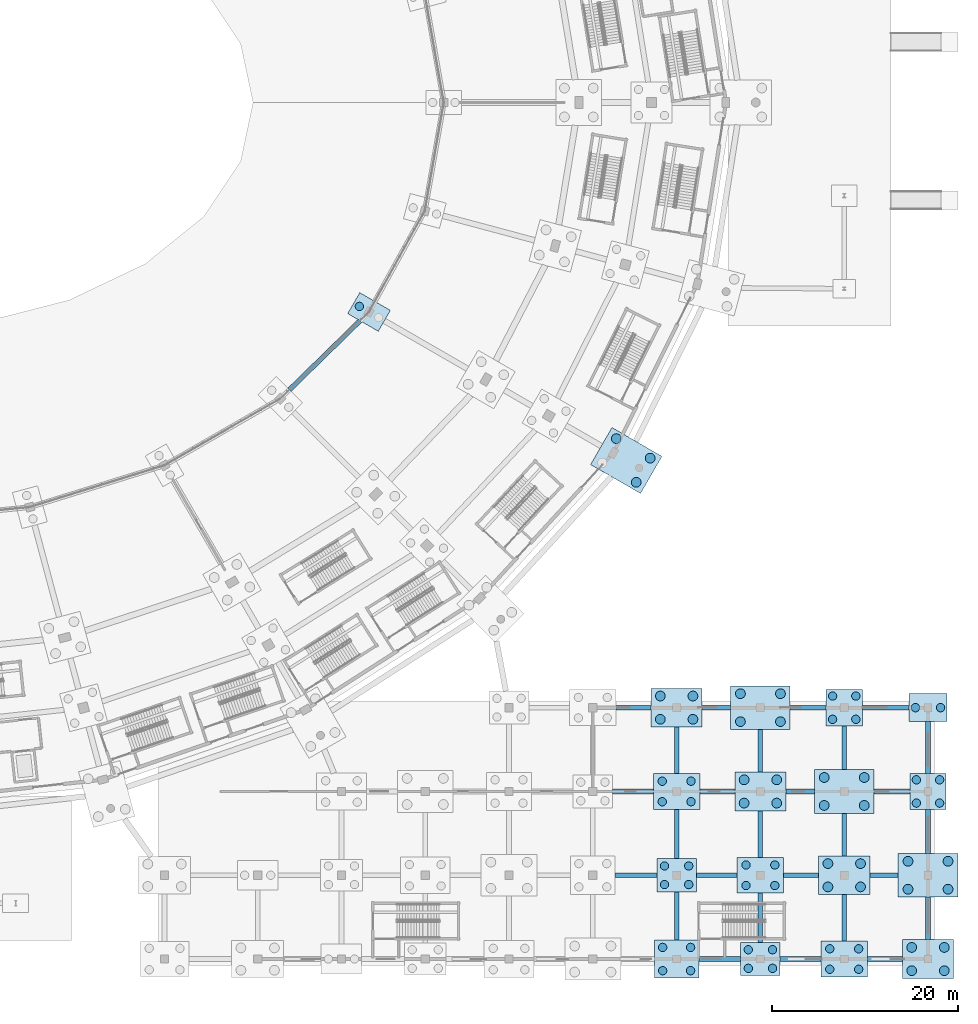
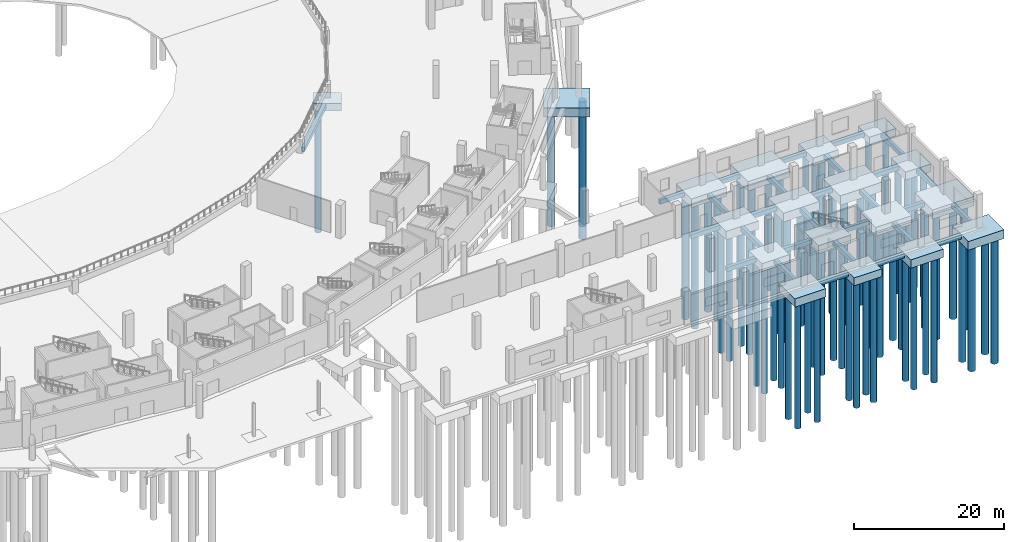
# One storey, part 7 of 103: 66 piles, 46 footings.
"""IFC4 building model written with IfcOpenShell, lengths in metres."""

from ifc_helpers import new_model, si_unit, direction, frame, origin, origin_2d, place, context, subcontext, project, spatial, rectangle, circle, extrude, material, material_profile, profile_set, type_object, element, save


model = new_model("IFC4")

# Units and contexts
model_context = context("Model", 3, precision=1e-05, world=origin(), true_north=direction((0.0, 1.0)))
body_context = subcontext(model_context, "Body", "Model", "MODEL_VIEW")
ifc_project = project(units=[si_unit("LENGTHUNIT", "METRE"), si_unit("AREAUNIT", "SQUARE_METRE"), si_unit("VOLUMEUNIT", "CUBIC_METRE"), si_unit("PLANEANGLEUNIT", "RADIAN"), si_unit("MASSUNIT", "GRAM", prefix="KILO")], contexts=[model_context])

# Site, building, storey
site_placement = place(None, origin())
site = spatial("IfcSite", under=ifc_project, at=site_placement, CompositionType="ELEMENT")
building_placement = place(site_placement, origin())
building = spatial("IfcBuilding", under=site, at=building_placement, Name="Zevraka Park Crest Stadium", CompositionType="ELEMENT")
storey_placement = place(building_placement, origin())
storey = spatial("IfcBuildingStorey", under=building, at=storey_placement, Name="L00", CompositionType="ELEMENT", Elevation=0.0)

# Footings
ifc_material_1 = material(Name="Concrete C35/45", Category="concrete")
ifc_material_profile_1 = material_profile(ifc_material_1, rectangle(XDim=0.5, YDim=0.699951171875, at=origin_2d()), Name="GB 700x500")
ifc_profile_set_1 = profile_set([ifc_material_profile_1], Name="Concrete C35/45")
footing_type_1 = type_object("IfcFootingType", Name="GB02", PredefinedType="FOOTING_BEAM", material=ifc_profile_set_1)
footing_1_placement = place(storey_placement, frame((155.427001953125, 61.158935546875, -0.699951171875), z_axis=(0.715191657617, 0.698928388946, 0.0), x_axis=(-0.698928388946, 0.715191657617, 0.0)))
element("IfcFooting", 1, at=footing_1_placement, inside=storey, type_object=footing_type_1, Name="Ground Tie Beam GB02 CIR-A-21", PredefinedType="FOOTING_BEAM", context=body_context, shape_type="SweptSolid", body=[
    extrude(rectangle(XDim=0.5, YDim=0.699951171875, at=origin_2d()), origin(), (0.0, 0.0, 1.0), 10.583251953125),
])
footing_2_placement = place(storey_placement, frame((190.39990234375, 9.0, -0.699951171875), z_axis=(1.0, 0.0, 0.0), x_axis=(0.0, 1.0, 0.0)))
element("IfcFooting", 2, at=footing_2_placement, inside=storey, type_object=footing_type_1, Name="Ground Tie Beam GB02 WX-21-B", PredefinedType="FOOTING_BEAM", context=body_context, shape_type="SweptSolid", body=[
    extrude(rectangle(XDim=0.5, YDim=0.699951171875, at=origin_2d()), origin(), (0.0, 0.0, 1.0), 4.47509765625),
])
footing_3_placement = place(storey_placement, frame((190.125, 18.0, -0.699951171875), z_axis=(1.0, 0.0, 0.0), x_axis=(0.0, 1.0, 0.0)))
element("IfcFooting", 3, at=footing_3_placement, inside=storey, type_object=footing_type_1, Name="Ground Tie Beam GB02 WX-21-C", PredefinedType="FOOTING_BEAM", context=body_context, shape_type="SweptSolid", body=[
    extrude(rectangle(XDim=0.5, YDim=0.699951171875, at=origin_2d()), origin(), (0.0, 0.0, 1.0), 4.375),
])
footing_4_placement = place(storey_placement, frame((190.5, 27.0, -0.699951171875), z_axis=(1.0, 0.0, 0.0), x_axis=(0.0, 1.0, 0.0)))
element("IfcFooting", 4, at=footing_4_placement, inside=storey, type_object=footing_type_1, Name="Ground Tie Beam GB02 WX-21-D", PredefinedType="FOOTING_BEAM", context=body_context, shape_type="SweptSolid", body=[
    extrude(rectangle(XDim=0.5, YDim=0.699951171875, at=origin_2d()), origin(), (0.0, 0.0, 1.0), 3.75),
])
footing_5_placement = place(storey_placement, frame((199.39990234375, 0.0, -0.699951171875), z_axis=(1.0, 0.0, 0.0), x_axis=(0.0, 1.0, 0.0)))
element("IfcFooting", 5, at=footing_5_placement, inside=storey, type_object=footing_type_1, Name="Ground Tie Beam GB02 WX-22-A", PredefinedType="FOOTING_BEAM", context=body_context, shape_type="SweptSolid", body=[
    extrude(rectangle(XDim=0.5, YDim=0.699951171875, at=origin_2d()), origin(), (0.0, 0.0, 1.0), 4.47509765625),
])
footing_6_placement = place(storey_placement, frame((197.0, 2.050048828125, -0.699951171875), z_axis=(0.0, 1.0, 0.0), x_axis=(-1.0, 0.0, 0.0)))
element("IfcFooting", 6, at=footing_6_placement, inside=storey, type_object=footing_type_1, Name="Ground Tie Beam GB02 WY-22-A", PredefinedType="FOOTING_BEAM", context=body_context, shape_type="SweptSolid", body=[
    extrude(rectangle(XDim=0.5, YDim=0.699951171875, at=origin_2d()), origin(), (0.0, 0.0, 1.0), 5.175048828125),
])
footing_7_placement = place(storey_placement, frame((199.125, 9.0, -0.699951171875), z_axis=(1.0, 0.0, 0.0), x_axis=(0.0, 1.0, 0.0)))
element("IfcFooting", 7, at=footing_7_placement, inside=storey, type_object=footing_type_1, Name="Ground Tie Beam GB02 WX-22-B", PredefinedType="FOOTING_BEAM", context=body_context, shape_type="SweptSolid", body=[
    extrude(rectangle(XDim=0.5, YDim=0.699951171875, at=origin_2d()), origin(), (0.0, 0.0, 1.0), 4.375),
])
footing_8_placement = place(storey_placement, frame((197.0, 10.77490234375, -0.699951171875), z_axis=(0.0, 1.0, 0.0), x_axis=(-1.0, 0.0, 0.0)))
element("IfcFooting", 8, at=footing_8_placement, inside=storey, type_object=footing_type_1, Name="Ground Tie Beam GB02 WY-22-B", PredefinedType="FOOTING_BEAM", context=body_context, shape_type="SweptSolid", body=[
    extrude(rectangle(XDim=0.5, YDim=0.699951171875, at=origin_2d()), origin(), (0.0, 0.0, 1.0), 5.300048828125),
])
footing_9_placement = place(storey_placement, frame((199.5, 18.0, -0.699951171875), z_axis=(1.0, 0.0, 0.0), x_axis=(0.0, 1.0, 0.0)))
element("IfcFooting", 9, at=footing_9_placement, inside=storey, type_object=footing_type_1, Name="Ground Tie Beam GB02 WX-22-C", PredefinedType="FOOTING_BEAM", context=body_context, shape_type="SweptSolid", body=[
    extrude(rectangle(XDim=0.5, YDim=0.699951171875, at=origin_2d()), origin(), (0.0, 0.0, 1.0), 3.75),
])
footing_10_placement = place(storey_placement, frame((197.0, 19.925048828125, -0.699951171875), z_axis=(0.0, 1.0, 0.0), x_axis=(-1.0, 0.0, 0.0)))
element("IfcFooting", 10, at=footing_10_placement, inside=storey, type_object=footing_type_1, Name="Ground Tie Beam GB02 WY-22-C", PredefinedType="FOOTING_BEAM", context=body_context, shape_type="SweptSolid", body=[
    extrude(rectangle(XDim=0.5, YDim=0.699951171875, at=origin_2d()), origin(), (0.0, 0.0, 1.0), 5.0),
])
footing_11_placement = place(storey_placement, frame((199.75, 27.0, -0.699951171875), z_axis=(1.0, 0.0, 0.0), x_axis=(0.0, 1.0, 0.0)))
element("IfcFooting", 11, at=footing_11_placement, inside=storey, type_object=footing_type_1, Name="Ground Tie Beam GB02 WX-22-D", PredefinedType="FOOTING_BEAM", context=body_context, shape_type="SweptSolid", body=[
    extrude(rectangle(XDim=0.5, YDim=0.699951171875, at=origin_2d()), origin(), (0.0, 0.0, 1.0), 3.050048828125),
])
footing_12_placement = place(storey_placement, frame((208.125, 0.0, -0.699951171875), z_axis=(1.0, 0.0, 0.0), x_axis=(0.0, 1.0, 0.0)))
element("IfcFooting", 12, at=footing_12_placement, inside=storey, type_object=footing_type_1, Name="Ground Tie Beam GB02 WX-23-A", PredefinedType="FOOTING_BEAM", context=body_context, shape_type="SweptSolid", body=[
    extrude(rectangle(XDim=0.5, YDim=0.699951171875, at=origin_2d()), origin(), (0.0, 0.0, 1.0), 4.375),
])
footing_13_placement = place(storey_placement, frame((206.0, 1.77490234375, -0.699951171875), z_axis=(0.0, 1.0, 0.0), x_axis=(-1.0, 0.0, 0.0)))
element("IfcFooting", 13, at=footing_13_placement, inside=storey, type_object=footing_type_1, Name="Ground Tie Beam GB02 WY-23-A", PredefinedType="FOOTING_BEAM", context=body_context, shape_type="SweptSolid", body=[
    extrude(rectangle(XDim=0.5, YDim=0.699951171875, at=origin_2d()), origin(), (0.0, 0.0, 1.0), 5.300048828125),
])
footing_14_placement = place(storey_placement, frame((208.5, 9.0, -0.699951171875), z_axis=(1.0, 0.0, 0.0), x_axis=(0.0, 1.0, 0.0)))
element("IfcFooting", 14, at=footing_14_placement, inside=storey, type_object=footing_type_1, Name="Ground Tie Beam GB02 WX-23-B", PredefinedType="FOOTING_BEAM", context=body_context, shape_type="SweptSolid", body=[
    extrude(rectangle(XDim=0.5, YDim=0.699951171875, at=origin_2d()), origin(), (0.0, 0.0, 1.0), 3.75),
])
footing_15_placement = place(storey_placement, frame((206.0, 10.925048828125, -0.699951171875), z_axis=(0.0, 1.0, 0.0), x_axis=(-1.0, 0.0, 0.0)))
element("IfcFooting", 15, at=footing_15_placement, inside=storey, type_object=footing_type_1, Name="Ground Tie Beam GB02 WY-23-B", PredefinedType="FOOTING_BEAM", context=body_context, shape_type="SweptSolid", body=[
    extrude(rectangle(XDim=0.5, YDim=0.699951171875, at=origin_2d()), origin(), (0.0, 0.0, 1.0), 5.0),
])
footing_16_placement = place(storey_placement, frame((208.75, 18.0, -0.699951171875), z_axis=(1.0, 0.0, 0.0), x_axis=(0.0, 1.0, 0.0)))
element("IfcFooting", 16, at=footing_16_placement, inside=storey, type_object=footing_type_1, Name="Ground Tie Beam GB02 WX-23-C", PredefinedType="FOOTING_BEAM", context=body_context, shape_type="SweptSolid", body=[
    extrude(rectangle(XDim=0.5, YDim=0.699951171875, at=origin_2d()), origin(), (0.0, 0.0, 1.0), 3.050048828125),
])
footing_17_placement = place(storey_placement, frame((206.0, 20.074951171875, -0.699951171875), z_axis=(0.0, 1.0, 0.0), x_axis=(-1.0, 0.0, 0.0)))
element("IfcFooting", 17, at=footing_17_placement, inside=storey, type_object=footing_type_1, Name="Ground Tie Beam GB02 WY-23-C", PredefinedType="FOOTING_BEAM", context=body_context, shape_type="SweptSolid", body=[
    extrude(rectangle(XDim=0.5, YDim=0.699951171875, at=origin_2d()), origin(), (0.0, 0.0, 1.0), 4.574951171875),
])
footing_18_placement = place(storey_placement, frame((209.199951171875, 27.0, -0.699951171875), z_axis=(1.0, 0.0, 0.0), x_axis=(0.0, 1.0, 0.0)))
element("IfcFooting", 18, at=footing_18_placement, inside=storey, type_object=footing_type_1, Name="Ground Tie Beam GB02 WX-23-D", PredefinedType="FOOTING_BEAM", context=body_context, shape_type="SweptSolid", body=[
    extrude(rectangle(XDim=0.5, YDim=0.699951171875, at=origin_2d()), origin(), (0.0, 0.0, 1.0), 3.85009765625),
])
footing_19_placement = place(storey_placement, frame((217.5, 0.0, -0.699951171875), z_axis=(1.0, 0.0, 0.0), x_axis=(0.0, 1.0, 0.0)))
element("IfcFooting", 19, at=footing_19_placement, inside=storey, type_object=footing_type_1, Name="Ground Tie Beam GB02 WX-24-A", PredefinedType="FOOTING_BEAM", context=body_context, shape_type="SweptSolid", body=[
    extrude(rectangle(XDim=0.5, YDim=0.699951171875, at=origin_2d()), origin(), (0.0, 0.0, 1.0), 3.75),
])
footing_20_placement = place(storey_placement, frame((215.0, 1.925048828125, -0.699951171875), z_axis=(0.0, 1.0, 0.0), x_axis=(-1.0, 0.0, 0.0)))
element("IfcFooting", 20, at=footing_20_placement, inside=storey, type_object=footing_type_1, Name="Ground Tie Beam GB02 WY-24-A", PredefinedType="FOOTING_BEAM", context=body_context, shape_type="SweptSolid", body=[
    extrude(rectangle(XDim=0.5, YDim=0.699951171875, at=origin_2d()), origin(), (0.0, 0.0, 1.0), 5.0),
])
footing_21_placement = place(storey_placement, frame((217.75, 9.0, -0.699951171875), z_axis=(1.0, 0.0, 0.0), x_axis=(0.0, 1.0, 0.0)))
element("IfcFooting", 21, at=footing_21_placement, inside=storey, type_object=footing_type_1, Name="Ground Tie Beam GB02 WX-24-B", PredefinedType="FOOTING_BEAM", context=body_context, shape_type="SweptSolid", body=[
    extrude(rectangle(XDim=0.5, YDim=0.699951171875, at=origin_2d()), origin(), (0.0, 0.0, 1.0), 3.050048828125),
])
footing_22_placement = place(storey_placement, frame((215.0, 11.074951171875, -0.699951171875), z_axis=(0.0, 1.0, 0.0), x_axis=(-1.0, 0.0, 0.0)))
element("IfcFooting", 22, at=footing_22_placement, inside=storey, type_object=footing_type_1, Name="Ground Tie Beam GB02 WY-24-B", PredefinedType="FOOTING_BEAM", context=body_context, shape_type="SweptSolid", body=[
    extrude(rectangle(XDim=0.5, YDim=0.699951171875, at=origin_2d()), origin(), (0.0, 0.0, 1.0), 4.574951171875),
])
footing_23_placement = place(storey_placement, frame((218.199951171875, 18.0, -0.699951171875), z_axis=(1.0, 0.0, 0.0), x_axis=(0.0, 1.0, 0.0)))
element("IfcFooting", 23, at=footing_23_placement, inside=storey, type_object=footing_type_1, Name="Ground Tie Beam GB02 WX-24-C", PredefinedType="FOOTING_BEAM", context=body_context, shape_type="SweptSolid", body=[
    extrude(rectangle(XDim=0.5, YDim=0.699951171875, at=origin_2d()), origin(), (0.0, 0.0, 1.0), 3.85009765625),
])
footing_24_placement = place(storey_placement, frame((215.0, 20.35009765625, -0.699951171875), z_axis=(0.0, 1.0, 0.0), x_axis=(-1.0, 0.0, 0.0)))
element("IfcFooting", 24, at=footing_24_placement, inside=storey, type_object=footing_type_1, Name="Ground Tie Beam GB02 WY-24-C", PredefinedType="FOOTING_BEAM", context=body_context, shape_type="SweptSolid", body=[
    extrude(rectangle(XDim=0.5, YDim=0.699951171875, at=origin_2d()), origin(), (0.0, 0.0, 1.0), 4.699951171875),
])
footing_25_placement = place(storey_placement, frame((216.949951171875, 27.0, -0.699951171875), z_axis=(1.0, 0.0, 0.0), x_axis=(0.0, 1.0, 0.0)))
element("IfcFooting", 25, at=footing_25_placement, inside=storey, type_object=footing_type_1, Name="Ground Tie Beam GB02 WX-24-D", PredefinedType="FOOTING_BEAM", context=body_context, shape_type="SweptSolid", body=[
    extrude(rectangle(XDim=0.5, YDim=0.699951171875, at=origin_2d()), origin(), (0.0, 0.0, 1.0), 5.0),
])
footing_26_placement = place(storey_placement, frame((224.0, 2.074951171875, -0.699951171875), z_axis=(0.0, 1.0, 0.0), x_axis=(-1.0, 0.0, 0.0)))
element("IfcFooting", 26, at=footing_26_placement, inside=storey, type_object=footing_type_1, Name="Ground Tie Beam GB02 WY-25-A", PredefinedType="FOOTING_BEAM", context=body_context, shape_type="SweptSolid", body=[
    extrude(rectangle(XDim=0.5, YDim=0.699951171875, at=origin_2d()), origin(), (0.0, 0.0, 1.0), 4.574951171875),
])
footing_27_placement = place(storey_placement, frame((224.0, 11.35009765625, -0.699951171875), z_axis=(0.0, 1.0, 0.0), x_axis=(-1.0, 0.0, 0.0)))
element("IfcFooting", 27, at=footing_27_placement, inside=storey, type_object=footing_type_1, Name="Ground Tie Beam GB02 WY-25-B", PredefinedType="FOOTING_BEAM", context=body_context, shape_type="SweptSolid", body=[
    extrude(rectangle(XDim=0.5, YDim=0.699951171875, at=origin_2d()), origin(), (0.0, 0.0, 1.0), 4.699951171875),
])
footing_28_placement = place(storey_placement, frame((224.0, 19.949951171875, -0.699951171875), z_axis=(0.0, 1.0, 0.0), x_axis=(-1.0, 0.0, 0.0)))
element("IfcFooting", 28, at=footing_28_placement, inside=storey, type_object=footing_type_1, Name="Ground Tie Beam GB02 WY-25-C", PredefinedType="FOOTING_BEAM", context=body_context, shape_type="SweptSolid", body=[
    extrude(rectangle(XDim=0.5, YDim=0.699951171875, at=origin_2d()), origin(), (0.0, 0.0, 1.0), 5.550048828125),
])
ifc_material_2 = material(Name="Concrete C35/45", Category="concrete")
footing_type_2 = type_object("IfcFootingType", Name="PC01", PredefinedType="PILE_CAP", material=ifc_material_2)
footing_29_placement = place(storey_placement, frame((163.9619140625, 69.5, -1.5498046875), z_axis=(0.0, 0.0, 1.0), x_axis=(-0.866025403784, 0.5, 0.0)))
element("IfcFooting", 29, at=footing_29_placement, inside=storey, type_object=footing_type_2, Name="Foundation PC01 A-22", PredefinedType="PILE_CAP", context=body_context, shape_type="SweptSolid", body=[
    extrude(rectangle(XDim=3.800048828125, YDim=2.60009765625, at=origin_2d()), origin(), (0.0, 0.0, 1.0), 1.199951171875),
])
ifc_material_3 = material(Name="Concrete C35/45", Category="concrete")
footing_type_3 = type_object("IfcFootingType", Name="PC07", PredefinedType="PILE_CAP", material=ifc_material_3)
footing_30_placement = place(storey_placement, frame((191.587890625, 53.550048828125, -1.7998046875), z_axis=(0.0, 0.0, 1.0), x_axis=(-0.866025403784, 0.5, 0.0)))
element("IfcFooting", 30, at=footing_30_placement, inside=storey, type_object=footing_type_3, Name="Foundation PC07 DE-22", PredefinedType="PILE_CAP", context=body_context, shape_type="SweptSolid", body=[
    extrude(rectangle(XDim=6.199951171875, YDim=4.60009765625, at=origin_2d()), origin(), (0.0, 0.0, 1.0), 1.449951171875),
])
ifc_material_4 = material(Name="Concrete C35/45", Category="concrete")
footing_type_4 = type_object("IfcFootingType", Name="PC09", PredefinedType="PILE_CAP", material=ifc_material_4)
for number, where, z_axis, x_axis, name in (
    (31, (215.0, 27.0, -1.60009765625), (0.0, 0.0, 1.0), (1.0, 0.0, 0.0), "Foundation PC09 W-24-D"),
    (32, (224.0, 18.0, -1.60009765625), (0.0, 0.0, 1.0), (1.0, 0.0, 0.0), "Foundation PC09 W-25-C"),
):
    element("IfcFooting", number, at=place(storey_placement, frame(where, z_axis=z_axis, x_axis=x_axis)), inside=storey, type_object=footing_type_4, Name=name, PredefinedType="PILE_CAP", context=body_context, shape_type="SweptSolid", body=[
        extrude(rectangle(XDim=3.89990234375, YDim=3.89990234375, at=origin_2d()), origin(), (0.0, 0.0, 1.0), 1.25),
    ])
ifc_material_5 = material(Name="Concrete C35/45", Category="concrete")
footing_type_5 = type_object("IfcFootingType", Name="PC10", PredefinedType="PILE_CAP", material=ifc_material_5)
footing_31_placement = place(storey_placement, frame((224.0, 27.0, -1.5498046875), z_axis=(0.0, 0.0, 1.0), x_axis=(1.0, 0.0, 0.0)))
element("IfcFooting", 33, at=footing_31_placement, inside=storey, type_object=footing_type_5, Name="Foundation PC10 W-25-D", PredefinedType="PILE_CAP", context=body_context, shape_type="SweptSolid", body=[
    extrude(rectangle(XDim=4.10009765625, YDim=3.0, at=origin_2d()), origin(), (0.0, 0.0, 1.0), 1.199951171875),
])
ifc_material_6 = material(Name="Concrete C35/45", Category="concrete")
footing_type_6 = type_object("IfcFootingType", Name="PC20", PredefinedType="PILE_CAP", material=ifc_material_6)
footing_32_placement = place(storey_placement, frame((197.0, 0.0, -1.699951171875), z_axis=(0.0, 0.0, 1.0), x_axis=(1.0, 0.0, 0.0)))
element("IfcFooting", 34, at=footing_32_placement, inside=storey, type_object=footing_type_6, Name="Foundation PC20 W-22-A", PredefinedType="PILE_CAP", context=body_context, shape_type="SweptSolid", body=[
    extrude(rectangle(XDim=4.800048828125, YDim=4.10009765625, at=origin_2d()), origin(), (0.0, 0.0, 1.0), 1.35009765625),
])
ifc_material_7 = material(Name="Concrete C35/45", Category="concrete")
footing_type_7 = type_object("IfcFootingType", Name="PC21", PredefinedType="PILE_CAP", material=ifc_material_7)
for number, where, z_axis, x_axis, name in (
    (35, (197.0, 9.0, -1.6298828125), (0.0, 0.0, 1.0), (1.0, 0.0, 0.0), "Foundation PC21 W-22-B"),
    (36, (206.0, 0.0, -1.6298828125), (0.0, 0.0, 1.0), (1.0, 0.0, 0.0), "Foundation PC21 W-23-A"),
):
    element("IfcFooting", number, at=place(storey_placement, frame(where, z_axis=z_axis, x_axis=x_axis)), inside=storey, type_object=footing_type_7, Name=name, PredefinedType="PILE_CAP", context=body_context, shape_type="SweptSolid", body=[
        extrude(rectangle(XDim=4.25, YDim=3.550048828125, at=origin_2d()), origin(), (0.0, 0.0, 1.0), 1.280029296875),
    ])
ifc_material_8 = material(Name="Concrete C35/45", Category="concrete")
footing_type_8 = type_object("IfcFootingType", Name="PC22", PredefinedType="PILE_CAP", material=ifc_material_8)
for number, where, z_axis, x_axis, name in (
    (37, (197.0, 18.0, -1.7099609375), (0.0, 0.0, 1.0), (1.0, 0.0, 0.0), "Foundation PC22 W-22-C"),
    (38, (206.0, 9.0, -1.7099609375), (0.0, 0.0, 1.0), (1.0, 0.0, 0.0), "Foundation PC22 W-23-B"),
    (39, (215.0, 0.0, -1.7099609375), (0.0, 0.0, 1.0), (1.0, 0.0, 0.0), "Foundation PC22 W-24-A"),
):
    element("IfcFooting", number, at=place(storey_placement, frame(where, z_axis=z_axis, x_axis=x_axis)), inside=storey, type_object=footing_type_8, Name=name, PredefinedType="PILE_CAP", context=body_context, shape_type="SweptSolid", body=[
        extrude(rectangle(XDim=5.0, YDim=3.85009765625, at=origin_2d()), origin(), (0.0, 0.0, 1.0), 1.360107421875),
    ])
ifc_material_9 = material(Name="Concrete C35/45", Category="concrete")
footing_type_9 = type_object("IfcFootingType", Name="PC23", PredefinedType="PILE_CAP", material=ifc_material_9)
for number, where, z_axis, x_axis, name in (
    (40, (197.0, 27.0, -1.77001953125), (0.0, 0.0, 1.0), (1.0, 0.0, 0.0), "Foundation PC23 W-22-D"),
    (41, (206.0, 18.0, -1.77001953125), (0.0, 0.0, 1.0), (1.0, 0.0, 0.0), "Foundation PC23 W-23-C"),
    (42, (215.0, 9.0, -1.77001953125), (0.0, 0.0, 1.0), (1.0, 0.0, 0.0), "Foundation PC23 W-24-B"),
    (43, (224.0, 0.0, -1.77001953125), (0.0, 0.0, 1.0), (1.0, 0.0, 0.0), "Foundation PC23 W-25-A"),
):
    element("IfcFooting", number, at=place(storey_placement, frame(where, z_axis=z_axis, x_axis=x_axis)), inside=storey, type_object=footing_type_9, Name=name, PredefinedType="PILE_CAP", context=body_context, shape_type="SweptSolid", body=[
        extrude(rectangle(XDim=5.5, YDim=4.14990234375, at=origin_2d()), origin(), (0.0, 0.0, 1.0), 1.419921875),
    ])
ifc_material_10 = material(Name="Concrete C35/45", Category="concrete")
footing_type_10 = type_object("IfcFootingType", Name="PC24", PredefinedType="PILE_CAP", material=ifc_material_10)
for number, where, z_axis, x_axis, name in (
    (44, (206.0, 27.0, -1.8701171875), (0.0, 0.0, 1.0), (1.0, 0.0, 0.0), "Foundation PC24 W-23-D"),
    (45, (215.0, 18.0, -1.8701171875), (0.0, 0.0, 1.0), (1.0, 0.0, 0.0), "Foundation PC24 W-24-C"),
    (46, (224.0, 9.0, -1.8701171875), (0.0, 0.0, 1.0), (1.0, 0.0, 0.0), "Foundation PC24 W-25-B"),
):
    element("IfcFooting", number, at=place(storey_placement, frame(where, z_axis=z_axis, x_axis=x_axis)), inside=storey, type_object=footing_type_10, Name=name, PredefinedType="PILE_CAP", context=body_context, shape_type="SweptSolid", body=[
        extrude(rectangle(XDim=6.39990234375, YDim=4.699951171875, at=origin_2d()), origin(), (0.0, 0.0, 1.0), 1.52001953125),
    ])

# Piles
ifc_material_11 = material(Name="Concrete C35/45", Category="concrete")
ifc_material_profile_2 = material_profile(ifc_material_11, circle(Radius=0.449951171875, at=origin_2d()), Name="PILE D900")
ifc_profile_set_2 = profile_set([ifc_material_profile_2], Name="Concrete C35/45")
pile_type_1 = type_object("IfcPileType", Name="PL01", PredefinedType="BORED", material=ifc_profile_set_2)
pile_placement = place(storey_placement, frame((162.923095703125, 70.10009765625, -1.449951171875), z_axis=(0.0, 0.0, -1.0), x_axis=(1.0, 0.0, 0.0)))
element("IfcPile", 47, at=pile_placement, inside=storey, type_object=pile_type_1, Name="Bored Pile PL01 A-22-2", PredefinedType="BORED", context=body_context, shape_type="SweptSolid", body=[
    extrude(circle(Radius=0.449951171875, at=origin_2d()), origin(), (0.0, 0.0, 1.0), 20.550048828125),
])
for number, where, z_axis, x_axis, name in (
    (48, (195.5, -1.25, -1.60009765625), (0.0, 0.0, -1.0), (1.0, 0.0, 0.0), "Bored Pile PL01 W-22-A-1"),
    (49, (198.5, -1.25, -1.60009765625), (0.0, 0.0, -1.0), (1.0, 0.0, 0.0), "Bored Pile PL01 W-22-A-2"),
    (50, (195.5, 1.25, -1.60009765625), (0.0, 0.0, -1.0), (1.0, 0.0, 0.0), "Bored Pile PL01 W-22-A-3"),
    (51, (198.5, 1.25, -1.60009765625), (0.0, 0.0, -1.0), (1.0, 0.0, 0.0), "Bored Pile PL01 W-22-A-4"),
):
    element("IfcPile", number, at=place(storey_placement, frame(where, z_axis=z_axis, x_axis=x_axis)), inside=storey, type_object=pile_type_1, Name=name, PredefinedType="BORED", context=body_context, shape_type="SweptSolid", body=[
        extrude(circle(Radius=0.449951171875, at=origin_2d()), origin(), (0.0, 0.0, 1.0), 20.39990234375),
    ])
for number, where, z_axis, x_axis, name in (
    (52, (195.699951171875, 8.0, -1.530029296875), (0.0, 0.0, -1.0), (1.0, 0.0, 0.0), "Bored Pile PL01 W-22-B-1"),
    (53, (198.300048828125, 8.0, -1.530029296875), (0.0, 0.0, -1.0), (1.0, 0.0, 0.0), "Bored Pile PL01 W-22-B-2"),
    (54, (195.699951171875, 10.0, -1.530029296875), (0.0, 0.0, -1.0), (1.0, 0.0, 0.0), "Bored Pile PL01 W-22-B-3"),
    (55, (198.300048828125, 10.0, -1.530029296875), (0.0, 0.0, -1.0), (1.0, 0.0, 0.0), "Bored Pile PL01 W-22-B-4"),
):
    element("IfcPile", number, at=place(storey_placement, frame(where, z_axis=z_axis, x_axis=x_axis)), inside=storey, type_object=pile_type_1, Name=name, PredefinedType="BORED", context=body_context, shape_type="SweptSolid", body=[
        extrude(circle(Radius=0.449951171875, at=origin_2d()), origin(), (0.0, 0.0, 1.0), 20.469970703125),
    ])
for number, where, z_axis, x_axis, name in (
    (56, (195.449951171875, 16.89990234375, -1.610107421875), (0.0, 0.0, -1.0), (1.0, 0.0, 0.0), "Bored Pile PL01 W-22-C-1"),
    (57, (198.550048828125, 16.89990234375, -1.610107421875), (0.0, 0.0, -1.0), (1.0, 0.0, 0.0), "Bored Pile PL01 W-22-C-2"),
    (58, (195.449951171875, 19.10009765625, -1.610107421875), (0.0, 0.0, -1.0), (1.0, 0.0, 0.0), "Bored Pile PL01 W-22-C-3"),
    (59, (198.550048828125, 19.10009765625, -1.610107421875), (0.0, 0.0, -1.0), (1.0, 0.0, 0.0), "Bored Pile PL01 W-22-C-4"),
):
    element("IfcPile", number, at=place(storey_placement, frame(where, z_axis=z_axis, x_axis=x_axis)), inside=storey, type_object=pile_type_1, Name=name, PredefinedType="BORED", context=body_context, shape_type="SweptSolid", body=[
        extrude(circle(Radius=0.449951171875, at=origin_2d()), origin(), (0.0, 0.0, 1.0), 20.389892578125),
    ])
for number, where, z_axis, x_axis, name in (
    (60, (204.699951171875, -1.0, -1.530029296875), (0.0, 0.0, -1.0), (1.0, 0.0, 0.0), "Bored Pile PL01 W-23-A-1"),
    (61, (207.300048828125, -1.0, -1.530029296875), (0.0, 0.0, -1.0), (1.0, 0.0, 0.0), "Bored Pile PL01 W-23-A-2"),
    (62, (204.699951171875, 1.0, -1.530029296875), (0.0, 0.0, -1.0), (1.0, 0.0, 0.0), "Bored Pile PL01 W-23-A-3"),
    (63, (207.300048828125, 1.0, -1.530029296875), (0.0, 0.0, -1.0), (1.0, 0.0, 0.0), "Bored Pile PL01 W-23-A-4"),
):
    element("IfcPile", number, at=place(storey_placement, frame(where, z_axis=z_axis, x_axis=x_axis)), inside=storey, type_object=pile_type_1, Name=name, PredefinedType="BORED", context=body_context, shape_type="SweptSolid", body=[
        extrude(circle(Radius=0.449951171875, at=origin_2d()), origin(), (0.0, 0.0, 1.0), 20.469970703125),
    ])
for number, where, z_axis, x_axis, name in (
    (64, (204.449951171875, 7.89990234375, -1.610107421875), (0.0, 0.0, -1.0), (1.0, 0.0, 0.0), "Bored Pile PL01 W-23-B-1"),
    (65, (207.550048828125, 7.89990234375, -1.610107421875), (0.0, 0.0, -1.0), (1.0, 0.0, 0.0), "Bored Pile PL01 W-23-B-2"),
    (66, (204.449951171875, 10.10009765625, -1.610107421875), (0.0, 0.0, -1.0), (1.0, 0.0, 0.0), "Bored Pile PL01 W-23-B-3"),
    (67, (207.550048828125, 10.10009765625, -1.610107421875), (0.0, 0.0, -1.0), (1.0, 0.0, 0.0), "Bored Pile PL01 W-23-B-4"),
    (68, (213.449951171875, -1.10009765625, -1.610107421875), (0.0, 0.0, -1.0), (1.0, 0.0, 0.0), "Bored Pile PL01 W-24-A-1"),
    (69, (216.550048828125, -1.10009765625, -1.610107421875), (0.0, 0.0, -1.0), (1.0, 0.0, 0.0), "Bored Pile PL01 W-24-A-2"),
    (70, (213.449951171875, 1.10009765625, -1.610107421875), (0.0, 0.0, -1.0), (1.0, 0.0, 0.0), "Bored Pile PL01 W-24-A-3"),
    (71, (216.550048828125, 1.10009765625, -1.610107421875), (0.0, 0.0, -1.0), (1.0, 0.0, 0.0), "Bored Pile PL01 W-24-A-4"),
):
    element("IfcPile", number, at=place(storey_placement, frame(where, z_axis=z_axis, x_axis=x_axis)), inside=storey, type_object=pile_type_1, Name=name, PredefinedType="BORED", context=body_context, shape_type="SweptSolid", body=[
        extrude(circle(Radius=0.449951171875, at=origin_2d()), origin(), (0.0, 0.0, 1.0), 20.389892578125),
    ])
for number, where, z_axis, x_axis, name in (
    (72, (213.75, 25.75, -1.5), (0.0, 0.0, -1.0), (1.0, 0.0, 0.0), "Bored Pile PL01 W-24-D-1"),
    (73, (216.25, 25.75, -1.5), (0.0, 0.0, -1.0), (1.0, 0.0, 0.0), "Bored Pile PL01 W-24-D-2"),
    (74, (213.75, 28.25, -1.5), (0.0, 0.0, -1.0), (1.0, 0.0, 0.0), "Bored Pile PL01 W-24-D-3"),
    (75, (216.25, 28.25, -1.5), (0.0, 0.0, -1.0), (1.0, 0.0, 0.0), "Bored Pile PL01 W-24-D-4"),
    (76, (222.75, 16.75, -1.5), (0.0, 0.0, -1.0), (1.0, 0.0, 0.0), "Bored Pile PL01 W-25-C-1"),
    (77, (225.25, 16.75, -1.5), (0.0, 0.0, -1.0), (1.0, 0.0, 0.0), "Bored Pile PL01 W-25-C-2"),
    (78, (222.75, 19.25, -1.5), (0.0, 0.0, -1.0), (1.0, 0.0, 0.0), "Bored Pile PL01 W-25-C-3"),
    (79, (225.25, 19.25, -1.5), (0.0, 0.0, -1.0), (1.0, 0.0, 0.0), "Bored Pile PL01 W-25-C-4"),
):
    element("IfcPile", number, at=place(storey_placement, frame(where, z_axis=z_axis, x_axis=x_axis)), inside=storey, type_object=pile_type_1, Name=name, PredefinedType="BORED", context=body_context, shape_type="SweptSolid", body=[
        extrude(circle(Radius=0.449951171875, at=origin_2d()), origin(), (0.0, 0.0, 1.0), 20.5),
    ])
for number, where, z_axis, x_axis, name in (
    (80, (222.64990234375, 27.0, -1.449951171875), (0.0, 0.0, -1.0), (1.0, 0.0, 0.0), "Bored Pile PL01 W-25-D-1"),
    (81, (225.35009765625, 27.0, -1.449951171875), (0.0, 0.0, -1.0), (1.0, 0.0, 0.0), "Bored Pile PL01 W-25-D-2"),
):
    element("IfcPile", number, at=place(storey_placement, frame(where, z_axis=z_axis, x_axis=x_axis)), inside=storey, type_object=pile_type_1, Name=name, PredefinedType="BORED", context=body_context, shape_type="SweptSolid", body=[
        extrude(circle(Radius=0.449951171875, at=origin_2d()), origin(), (0.0, 0.0, 1.0), 20.550048828125),
    ])
ifc_material_12 = material(Name="Concrete C35/45", Category="concrete")
ifc_material_profile_3 = material_profile(ifc_material_12, circle(Radius=0.52490234375, at=origin_2d()), Name="PILE D1050")
ifc_profile_set_3 = profile_set([ifc_material_profile_3], Name="Concrete C35/45")
pile_type_2 = type_object("IfcPileType", Name="PL02", PredefinedType="BORED", material=ifc_profile_set_3)
for number, where, z_axis, x_axis, name in (
    (82, (194.156982421875, 53.799072265625, -1.699951171875), (0.0, 0.0, -1.0), (1.0, 0.0, 0.0), "Bored Pile PL02 DE-22-1"),
    (83, (190.51904296875, 55.89892578125, -1.699951171875), (0.0, 0.0, -1.0), (1.0, 0.0, 0.0), "Bored Pile PL02 DE-22-2"),
    (84, (192.656982421875, 51.200927734375, -1.699951171875), (0.0, 0.0, -1.0), (1.0, 0.0, 0.0), "Bored Pile PL02 DE-22-3"),
):
    element("IfcPile", number, at=place(storey_placement, frame(where, z_axis=z_axis, x_axis=x_axis)), inside=storey, type_object=pile_type_2, Name=name, PredefinedType="BORED", context=body_context, shape_type="SweptSolid", body=[
        extrude(circle(Radius=0.52490234375, at=origin_2d()), origin(), (0.0, 0.0, 1.0), 20.300048828125),
    ])
for number, where, z_axis, x_axis, name in (
    (85, (195.25, 25.75, -1.669921875), (0.0, 0.0, -1.0), (1.0, 0.0, 0.0), "Bored Pile PL02 W-22-D-1"),
    (86, (198.75, 25.75, -1.669921875), (0.0, 0.0, -1.0), (1.0, 0.0, 0.0), "Bored Pile PL02 W-22-D-2"),
    (87, (195.25, 28.25, -1.669921875), (0.0, 0.0, -1.0), (1.0, 0.0, 0.0), "Bored Pile PL02 W-22-D-3"),
    (88, (198.75, 28.25, -1.669921875), (0.0, 0.0, -1.0), (1.0, 0.0, 0.0), "Bored Pile PL02 W-22-D-4"),
    (89, (204.25, 16.75, -1.669921875), (0.0, 0.0, -1.0), (1.0, 0.0, 0.0), "Bored Pile PL02 W-23-C-1"),
    (90, (207.75, 16.75, -1.669921875), (0.0, 0.0, -1.0), (1.0, 0.0, 0.0), "Bored Pile PL02 W-23-C-2"),
    (91, (204.25, 19.25, -1.669921875), (0.0, 0.0, -1.0), (1.0, 0.0, 0.0), "Bored Pile PL02 W-23-C-3"),
    (92, (207.75, 19.25, -1.669921875), (0.0, 0.0, -1.0), (1.0, 0.0, 0.0), "Bored Pile PL02 W-23-C-4"),
):
    element("IfcPile", number, at=place(storey_placement, frame(where, z_axis=z_axis, x_axis=x_axis)), inside=storey, type_object=pile_type_2, Name=name, PredefinedType="BORED", context=body_context, shape_type="SweptSolid", body=[
        extrude(circle(Radius=0.52490234375, at=origin_2d()), origin(), (0.0, 0.0, 1.0), 20.330078125),
    ])
for number, where, z_axis, x_axis, name in (
    (93, (203.85009765625, 25.5, -1.77001953125), (0.0, 0.0, -1.0), (1.0, 0.0, 0.0), "Bored Pile PL02 W-23-D-1"),
    (94, (208.14990234375, 25.5, -1.77001953125), (0.0, 0.0, -1.0), (1.0, 0.0, 0.0), "Bored Pile PL02 W-23-D-2"),
    (95, (203.85009765625, 28.5, -1.77001953125), (0.0, 0.0, -1.0), (1.0, 0.0, 0.0), "Bored Pile PL02 W-23-D-3"),
    (96, (208.14990234375, 28.5, -1.77001953125), (0.0, 0.0, -1.0), (1.0, 0.0, 0.0), "Bored Pile PL02 W-23-D-4"),
):
    element("IfcPile", number, at=place(storey_placement, frame(where, z_axis=z_axis, x_axis=x_axis)), inside=storey, type_object=pile_type_2, Name=name, PredefinedType="BORED", context=body_context, shape_type="SweptSolid", body=[
        extrude(circle(Radius=0.52490234375, at=origin_2d()), origin(), (0.0, 0.0, 1.0), 20.22998046875),
    ])
for number, where, z_axis, x_axis, name in (
    (97, (213.25, 7.75, -1.669921875), (0.0, 0.0, -1.0), (1.0, 0.0, 0.0), "Bored Pile PL02 W-24-B-1"),
    (98, (216.75, 7.75, -1.669921875), (0.0, 0.0, -1.0), (1.0, 0.0, 0.0), "Bored Pile PL02 W-24-B-2"),
    (99, (213.25, 10.25, -1.669921875), (0.0, 0.0, -1.0), (1.0, 0.0, 0.0), "Bored Pile PL02 W-24-B-3"),
    (100, (216.75, 10.25, -1.669921875), (0.0, 0.0, -1.0), (1.0, 0.0, 0.0), "Bored Pile PL02 W-24-B-4"),
):
    element("IfcPile", number, at=place(storey_placement, frame(where, z_axis=z_axis, x_axis=x_axis)), inside=storey, type_object=pile_type_2, Name=name, PredefinedType="BORED", context=body_context, shape_type="SweptSolid", body=[
        extrude(circle(Radius=0.52490234375, at=origin_2d()), origin(), (0.0, 0.0, 1.0), 20.330078125),
    ])
for number, where, z_axis, x_axis, name in (
    (101, (212.85009765625, 16.5, -1.77001953125), (0.0, 0.0, -1.0), (1.0, 0.0, 0.0), "Bored Pile PL02 W-24-C-1"),
    (102, (217.14990234375, 16.5, -1.77001953125), (0.0, 0.0, -1.0), (1.0, 0.0, 0.0), "Bored Pile PL02 W-24-C-2"),
    (103, (212.85009765625, 19.5, -1.77001953125), (0.0, 0.0, -1.0), (1.0, 0.0, 0.0), "Bored Pile PL02 W-24-C-3"),
    (104, (217.14990234375, 19.5, -1.77001953125), (0.0, 0.0, -1.0), (1.0, 0.0, 0.0), "Bored Pile PL02 W-24-C-4"),
):
    element("IfcPile", number, at=place(storey_placement, frame(where, z_axis=z_axis, x_axis=x_axis)), inside=storey, type_object=pile_type_2, Name=name, PredefinedType="BORED", context=body_context, shape_type="SweptSolid", body=[
        extrude(circle(Radius=0.52490234375, at=origin_2d()), origin(), (0.0, 0.0, 1.0), 20.22998046875),
    ])
for number, where, z_axis, x_axis, name in (
    (105, (222.25, -1.25, -1.669921875), (0.0, 0.0, -1.0), (1.0, 0.0, 0.0), "Bored Pile PL02 W-25-A-1"),
    (106, (225.75, -1.25, -1.669921875), (0.0, 0.0, -1.0), (1.0, 0.0, 0.0), "Bored Pile PL02 W-25-A-2"),
    (107, (222.25, 1.25, -1.669921875), (0.0, 0.0, -1.0), (1.0, 0.0, 0.0), "Bored Pile PL02 W-25-A-3"),
    (108, (225.75, 1.25, -1.669921875), (0.0, 0.0, -1.0), (1.0, 0.0, 0.0), "Bored Pile PL02 W-25-A-4"),
):
    element("IfcPile", number, at=place(storey_placement, frame(where, z_axis=z_axis, x_axis=x_axis)), inside=storey, type_object=pile_type_2, Name=name, PredefinedType="BORED", context=body_context, shape_type="SweptSolid", body=[
        extrude(circle(Radius=0.52490234375, at=origin_2d()), origin(), (0.0, 0.0, 1.0), 20.330078125),
    ])
for number, where, z_axis, x_axis, name in (
    (109, (221.85009765625, 7.5, -1.77001953125), (0.0, 0.0, -1.0), (1.0, 0.0, 0.0), "Bored Pile PL02 W-25-B-1"),
    (110, (226.14990234375, 7.5, -1.77001953125), (0.0, 0.0, -1.0), (1.0, 0.0, 0.0), "Bored Pile PL02 W-25-B-2"),
    (111, (221.85009765625, 10.5, -1.77001953125), (0.0, 0.0, -1.0), (1.0, 0.0, 0.0), "Bored Pile PL02 W-25-B-3"),
    (112, (226.14990234375, 10.5, -1.77001953125), (0.0, 0.0, -1.0), (1.0, 0.0, 0.0), "Bored Pile PL02 W-25-B-4"),
):
    element("IfcPile", number, at=place(storey_placement, frame(where, z_axis=z_axis, x_axis=x_axis)), inside=storey, type_object=pile_type_2, Name=name, PredefinedType="BORED", context=body_context, shape_type="SweptSolid", body=[
        extrude(circle(Radius=0.52490234375, at=origin_2d()), origin(), (0.0, 0.0, 1.0), 20.22998046875),
    ])

save(model, "model.ifc")
